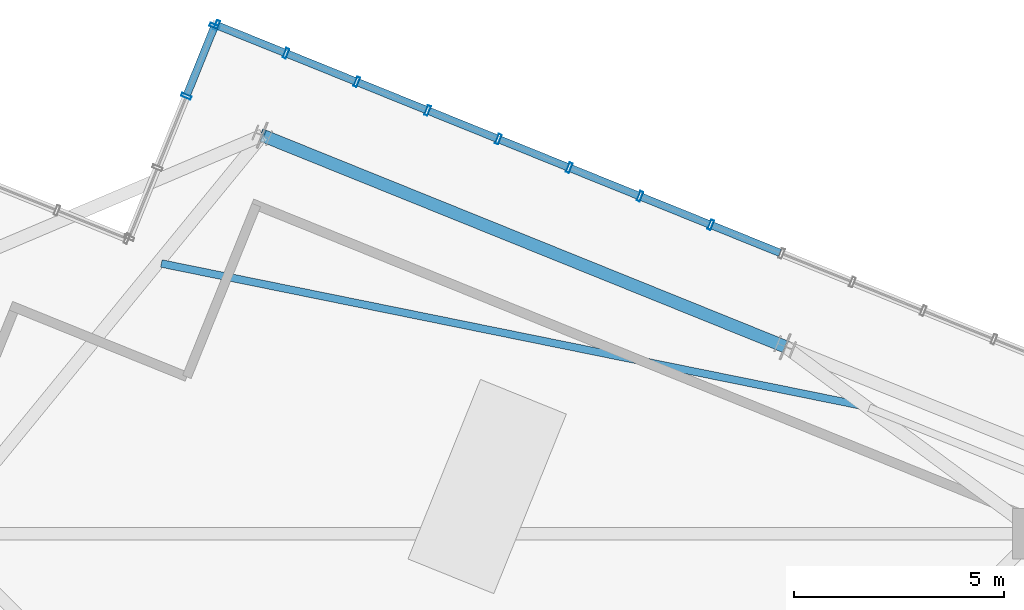
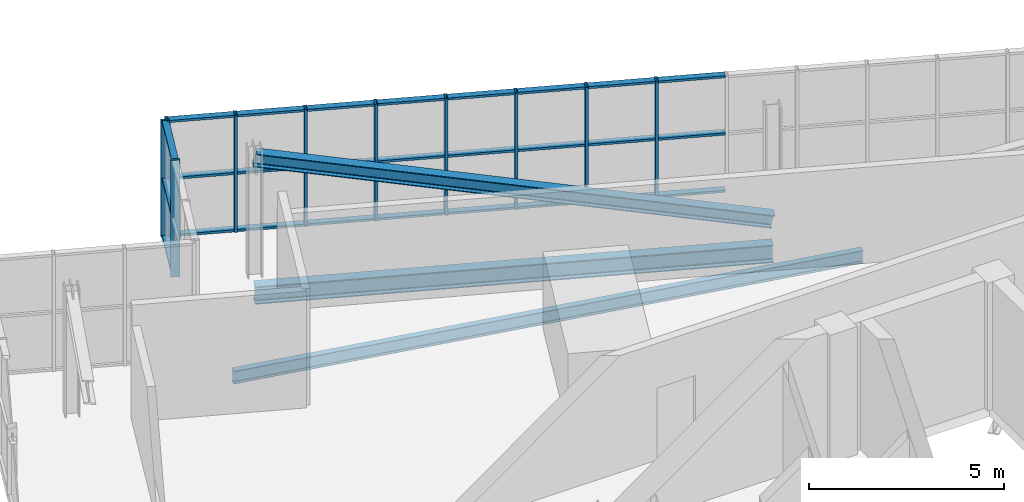
# One storey, part 15 of 26: 38 members, 2 beams, 2 elements without a shape of their own.
"""IFC4 building model written with IfcOpenShell, lengths in metres."""

from ifc_helpers import new_model, si_unit, direction, frame, origin, origin_2d, place, context, subcontext, project, spatial, hollow_rectangle, i_section, extrude, source, transform, mapped, material, layer, layer_set, material_profile, profile_set, type_object, element, aggregate, save


model = new_model("IFC4")

# Units and contexts
model_context = context("Model", 3, precision=1e-05, world=origin(), true_north=direction((0.0, 1.0)))
body_context = subcontext(model_context, "Body", "Model", "MODEL_VIEW")
ifc_project = project(units=[si_unit("LENGTHUNIT", "METRE"), si_unit("AREAUNIT", "SQUARE_METRE"), si_unit("VOLUMEUNIT", "CUBIC_METRE"), si_unit("PLANEANGLEUNIT", "RADIAN"), si_unit("MASSUNIT", "GRAM", prefix="KILO"), si_unit("THERMODYNAMICTEMPERATUREUNIT", "KELVIN")], contexts=[model_context])

# Site, building, storey
site_placement = place(None, origin())
site = spatial("IfcSite", under=ifc_project, at=site_placement, CompositionType="ELEMENT")
building_placement = place(site_placement, origin())
building = spatial("IfcBuilding", under=site, at=building_placement, Name="Kosmvard Interchange Tower", CompositionType="ELEMENT")
storey_placement = place(building_placement, frame((0.0, 0.0, 341.60009765625)))
storey = spatial("IfcBuildingStorey", under=building, at=storey_placement, Name="L84", CompositionType="ELEMENT", Elevation=341.60009765625)

# Member
ifc_material_1 = material(Name="Steel S355", Category="steel")
ifc_material_profile_1 = material_profile(ifc_material_1, i_section(OverallWidth=0.300048828125, OverallDepth=0.39990234375, WebThickness=0.013427734375, FlangeThickness=0.02392578125, FilletRadius=0.027099609375, at=origin_2d()), Name="HEB 400")
ifc_profile_set_1 = profile_set([ifc_material_profile_1], Name="Steel S355")
member_type_1 = type_object("IfcMemberType", Name="Lantern Crown Diagrid Brace HEB 400 S355", PredefinedType="BRACE", material=ifc_profile_set_1)
shared_shape_1 = source(origin(), body_context, "Body", "SweptSolid", [
    extrude(i_section(OverallWidth=0.300048828125, OverallDepth=0.39990234375, WebThickness=0.013427734375, FlangeThickness=0.02392578125, FilletRadius=0.027099609375, at=origin_2d()), origin(), (0.0, 0.0, 1.0), 13.783935546875),
])
member_1_placement = place(storey_placement, frame((7.080078125, 17.523681640625, 0.419921875), z_axis=(-0.901367558742, 0.364177999122, 0.234330768366), x_axis=(-0.374608243744, -0.927183187789, 0.0)))
element("IfcMember", 1, at=member_1_placement, inside=storey, type_object=member_type_1, Name="L84 Crown Lantern Diagrid Brace E2", PredefinedType="BRACE", context=body_context, shape_type="MappedRepresentation", body=[
    mapped(shared_shape_1, transform((0.0, 0.0, 0.0), scale=1.0)),
])

# Beams
ifc_material_profile_2 = material_profile(ifc_material_1, i_section(OverallWidth=0.300048828125, OverallDepth=0.550048828125, WebThickness=0.014892578125, FlangeThickness=0.029052734375, FilletRadius=0.027099609375, at=origin_2d()), Name="HEB 550")
ifc_profile_set_2 = profile_set([ifc_material_profile_2], Name="Steel S355")
beam_type_1 = type_object("IfcBeamType", Name="Crown Ring Cap Girder HEB 550 S355", PredefinedType="BEAM", material=ifc_profile_set_2)
shared_shape_2 = source(origin(), body_context, "Body", "SweptSolid", [
    extrude(i_section(OverallWidth=0.300048828125, OverallDepth=0.550048828125, WebThickness=0.014892578125, FlangeThickness=0.029052734375, FilletRadius=0.027099609375, at=origin_2d()), origin(), (0.0, 0.0, 1.0), 13.400146484375),
])
beam_1_placement = place(storey_placement, frame((7.080078125, 17.523681640625, -0.5751953125), z_axis=(-0.927183187789, 0.374608243744, 0.0), x_axis=(-0.374608243744, -0.927183187789, 0.0)))
element("IfcBeam", 2, at=beam_1_placement, inside=storey, type_object=beam_type_1, Name="BM-L84-PR05", PredefinedType="BEAM", context=body_context, shape_type="MappedRepresentation", body=[
    mapped(shared_shape_2, transform((0.0, 0.0, 0.0), scale=1.0)),
])
ifc_material_profile_3 = material_profile(ifc_material_1, i_section(OverallWidth=0.179931640625, OverallDepth=0.39990234375, WebThickness=0.008544921875, FlangeThickness=0.013427734375, FilletRadius=0.02099609375, at=origin_2d()), Name="IPE 400")
ifc_profile_set_3 = profile_set([ifc_material_profile_3], Name="Steel S355")
beam_type_2 = type_object("IfcBeamType", Name="Upper-Zone Floor Joist IPE 400 S355", PredefinedType="JOIST", material=ifc_profile_set_3)
shared_shape_3 = source(origin(), body_context, "Body", "SweptSolid", [
    extrude(i_section(OverallWidth=0.179931640625, OverallDepth=0.39990234375, WebThickness=0.008544921875, FlangeThickness=0.013427734375, FilletRadius=0.02099609375, at=origin_2d()), origin(), (0.0, 0.0, 1.0), 17.0029296875),
])
beam_2_placement = place(storey_placement, frame((8.921875, 16.117919921875, -0.5), z_axis=(-0.98002341059, 0.198882162837, 0.0), x_axis=(-0.198882162837, -0.98002341059, 0.0)))
element("IfcBeam", 3, at=beam_2_placement, inside=storey, type_object=beam_type_2, Name="BM-L84-FJ04", PredefinedType="JOIST", context=body_context, shape_type="MappedRepresentation", body=[
    mapped(shared_shape_3, transform((0.0, 0.0, 0.0), scale=1.0)),
])

# Curtain wall, members
ifc_material_2 = material(Name="Architectural anodised aluminium", Category="aluminium")
ifc_layer = layer(ifc_material_2, 0.25, Name="Architectural anodised aluminium")
ifc_layer_set = layer_set([ifc_layer], Name="Architectural anodised aluminium")
curtain_wall_type = type_object("IfcCurtainWallType", Name="CW-6 Illuminated Crown Lantern Curtain Wall", PredefinedType="NOTDEFINED", material=ifc_layer_set)
curtain_wall_1_placement = place(storey_placement, origin())
curtain_wall_1 = element("IfcCurtainWall", 4, at=curtain_wall_1_placement, inside=storey, type_object=curtain_wall_type, Name="L84 Crown Lantern Glazing Face 04", PredefinedType="NOTDEFINED")
ifc_material_profile_4 = material_profile(ifc_material_2, hollow_rectangle(XDim=0.179931640625, YDim=0.070068359375, WallThickness=0.0048828125, at=origin_2d()), Name="CWT 180x70x5")
ifc_profile_set_4 = profile_set([ifc_material_profile_4], Name="Architectural anodised aluminium")
member_type_2 = type_object("IfcMemberType", Name="Heavy Lantern CW Transom 180x70 Aluminium", PredefinedType="USERDEFINED", material=ifc_profile_set_4)
shared_shape_4 = source(origin(), body_context, "Body", "SweptSolid", [
    extrude(hollow_rectangle(XDim=0.179931640625, YDim=0.070068359375, WallThickness=0.0048828125, at=origin_2d()), origin(), (0.0, 0.0, 1.0), 1.694091796875),
])
member_2_placement = place(storey_placement, frame((-4.8154296875, 24.508544921875, 0.034912109375), z_axis=(-0.927209116514, 0.374544061831, 0.0), x_axis=(-0.374544061831, -0.927209116514, 0.0)))
member_2 = element("IfcMember", 5, at=member_2_placement, type_object=member_type_2, Name="CW-6 transom 17.1", ObjectType="TRANSOM", PredefinedType="USERDEFINED", context=body_context, shape_type="MappedRepresentation", body=[
    mapped(shared_shape_4, transform((0.0, 0.0, 0.0), scale=1.0)),
])
member_3_placement = place(storey_placement, frame((-4.8154296875, 24.508544921875, 1.824951171875), z_axis=(-0.927209116514, 0.374544061831, 0.0), x_axis=(-0.374544061831, -0.927209116514, 0.0)))
member_3 = element("IfcMember", 6, at=member_3_placement, type_object=member_type_2, Name="CW-6 transom 17.2", ObjectType="TRANSOM", PredefinedType="USERDEFINED", context=body_context, shape_type="MappedRepresentation", body=[
    mapped(shared_shape_4, transform((0.0, 0.0, 0.0), scale=1.0)),
])
member_4_placement = place(storey_placement, frame((-4.8154296875, 24.508544921875, 3.614990234375), z_axis=(-0.927209116514, 0.374544061831, 0.0), x_axis=(-0.374544061831, -0.927209116514, 0.0)))
member_4 = element("IfcMember", 7, at=member_4_placement, type_object=member_type_2, Name="CW-6 transom 17.3", ObjectType="TRANSOM", PredefinedType="USERDEFINED", context=body_context, shape_type="MappedRepresentation", body=[
    mapped(shared_shape_4, transform((0.0, 0.0, 0.0), scale=1.0)),
])
shared_shape_5 = source(origin(), body_context, "Body", "SweptSolid", [
    extrude(hollow_rectangle(XDim=0.179931640625, YDim=0.070068359375, WallThickness=0.0048828125, at=origin_2d()), origin(), (0.0, 0.0, 1.0), 1.734130859375),
])
member_5_placement = place(storey_placement, frame((6.958740234375, 19.75146484375, 0.034912109375), z_axis=(-0.927179782522, 0.374616671924, 0.0), x_axis=(-0.374616671924, -0.927179782522, 0.0)))
member_5 = element("IfcMember", 8, at=member_5_placement, type_object=member_type_2, Name="CW-6 transom 10.1", ObjectType="TRANSOM", PredefinedType="USERDEFINED", context=body_context, shape_type="MappedRepresentation", body=[
    mapped(shared_shape_5, transform((0.0, 0.0, 0.0), scale=1.0)),
])
member_6_placement = place(storey_placement, frame((6.958740234375, 19.75146484375, 1.824951171875), z_axis=(-0.927179782522, 0.374616671924, 0.0), x_axis=(-0.374616671924, -0.927179782522, 0.0)))
member_6 = element("IfcMember", 9, at=member_6_placement, type_object=member_type_2, Name="CW-6 transom 10.2", ObjectType="TRANSOM", PredefinedType="USERDEFINED", context=body_context, shape_type="MappedRepresentation", body=[
    mapped(shared_shape_5, transform((0.0, 0.0, 0.0), scale=1.0)),
])
member_7_placement = place(storey_placement, frame((6.958740234375, 19.75146484375, 3.614990234375), z_axis=(-0.927179782522, 0.374616671924, 0.0), x_axis=(-0.374616671924, -0.927179782522, 0.0)))
member_7 = element("IfcMember", 10, at=member_7_placement, type_object=member_type_2, Name="CW-6 transom 10.3", ObjectType="TRANSOM", PredefinedType="USERDEFINED", context=body_context, shape_type="MappedRepresentation", body=[
    mapped(shared_shape_5, transform((0.0, 0.0, 0.0), scale=1.0)),
])
member_8_placement = place(storey_placement, frame((5.276611328125, 20.43115234375, 0.034912109375), z_axis=(-0.927228675447, 0.374495638732, 0.0), x_axis=(-0.374495638732, -0.927228675447, 0.0)))
member_8 = element("IfcMember", 11, at=member_8_placement, type_object=member_type_2, Name="CW-6 transom 11.1", ObjectType="TRANSOM", PredefinedType="USERDEFINED", context=body_context, shape_type="MappedRepresentation", body=[
    mapped(shared_shape_5, transform((0.0, 0.0, 0.0), scale=1.0)),
])
member_9_placement = place(storey_placement, frame((5.276611328125, 20.43115234375, 1.824951171875), z_axis=(-0.927228675447, 0.374495638732, 0.0), x_axis=(-0.374495638732, -0.927228675447, 0.0)))
member_9 = element("IfcMember", 12, at=member_9_placement, type_object=member_type_2, Name="CW-6 transom 11.2", ObjectType="TRANSOM", PredefinedType="USERDEFINED", context=body_context, shape_type="MappedRepresentation", body=[
    mapped(shared_shape_5, transform((0.0, 0.0, 0.0), scale=1.0)),
])
member_10_placement = place(storey_placement, frame((5.276611328125, 20.43115234375, 3.614990234375), z_axis=(-0.927228675447, 0.374495638732, 0.0), x_axis=(-0.374495638732, -0.927228675447, 0.0)))
member_10 = element("IfcMember", 13, at=member_10_placement, type_object=member_type_2, Name="CW-6 transom 11.3", ObjectType="TRANSOM", PredefinedType="USERDEFINED", context=body_context, shape_type="MappedRepresentation", body=[
    mapped(shared_shape_5, transform((0.0, 0.0, 0.0), scale=1.0)),
])
member_11_placement = place(storey_placement, frame((3.5947265625, 21.110595703125, 0.034912109375), z_axis=(-0.927179782522, 0.374616671924, 0.0), x_axis=(-0.374616671924, -0.927179782522, 0.0)))
member_11 = element("IfcMember", 14, at=member_11_placement, type_object=member_type_2, Name="CW-6 transom 12.1", ObjectType="TRANSOM", PredefinedType="USERDEFINED", context=body_context, shape_type="MappedRepresentation", body=[
    mapped(shared_shape_5, transform((0.0, 0.0, 0.0), scale=1.0)),
])
member_12_placement = place(storey_placement, frame((3.5947265625, 21.110595703125, 1.824951171875), z_axis=(-0.927179782522, 0.374616671924, 0.0), x_axis=(-0.374616671924, -0.927179782522, 0.0)))
member_12 = element("IfcMember", 15, at=member_12_placement, type_object=member_type_2, Name="CW-6 transom 12.2", ObjectType="TRANSOM", PredefinedType="USERDEFINED", context=body_context, shape_type="MappedRepresentation", body=[
    mapped(shared_shape_5, transform((0.0, 0.0, 0.0), scale=1.0)),
])
member_13_placement = place(storey_placement, frame((3.5947265625, 21.110595703125, 3.614990234375), z_axis=(-0.927179782522, 0.374616671924, 0.0), x_axis=(-0.374616671924, -0.927179782522, 0.0)))
member_13 = element("IfcMember", 16, at=member_13_placement, type_object=member_type_2, Name="CW-6 transom 12.3", ObjectType="TRANSOM", PredefinedType="USERDEFINED", context=body_context, shape_type="MappedRepresentation", body=[
    mapped(shared_shape_5, transform((0.0, 0.0, 0.0), scale=1.0)),
])
member_14_placement = place(storey_placement, frame((1.91259765625, 21.790283203125, 0.034912109375), z_axis=(-0.927228675447, 0.374495638732, 0.0), x_axis=(-0.374495638732, -0.927228675447, 0.0)))
member_14 = element("IfcMember", 17, at=member_14_placement, type_object=member_type_2, Name="CW-6 transom 13.1", ObjectType="TRANSOM", PredefinedType="USERDEFINED", context=body_context, shape_type="MappedRepresentation", body=[
    mapped(shared_shape_5, transform((0.0, 0.0, 0.0), scale=1.0)),
])
member_15_placement = place(storey_placement, frame((1.91259765625, 21.790283203125, 1.824951171875), z_axis=(-0.927228675447, 0.374495638732, 0.0), x_axis=(-0.374495638732, -0.927228675447, 0.0)))
member_15 = element("IfcMember", 18, at=member_15_placement, type_object=member_type_2, Name="CW-6 transom 13.2", ObjectType="TRANSOM", PredefinedType="USERDEFINED", context=body_context, shape_type="MappedRepresentation", body=[
    mapped(shared_shape_5, transform((0.0, 0.0, 0.0), scale=1.0)),
])
member_16_placement = place(storey_placement, frame((1.91259765625, 21.790283203125, 3.614990234375), z_axis=(-0.927228675447, 0.374495638732, 0.0), x_axis=(-0.374495638732, -0.927228675447, 0.0)))
member_16 = element("IfcMember", 19, at=member_16_placement, type_object=member_type_2, Name="CW-6 transom 13.3", ObjectType="TRANSOM", PredefinedType="USERDEFINED", context=body_context, shape_type="MappedRepresentation", body=[
    mapped(shared_shape_5, transform((0.0, 0.0, 0.0), scale=1.0)),
])
member_17_placement = place(storey_placement, frame((-1.451416015625, 23.1494140625, 0.034912109375), z_axis=(-0.927179782522, 0.374616671924, 0.0), x_axis=(-0.374616671924, -0.927179782522, 0.0)))
member_17 = element("IfcMember", 20, at=member_17_placement, type_object=member_type_2, Name="CW-6 transom 15.1", ObjectType="TRANSOM", PredefinedType="USERDEFINED", context=body_context, shape_type="MappedRepresentation", body=[
    mapped(shared_shape_5, transform((0.0, 0.0, 0.0), scale=1.0)),
])
member_18_placement = place(storey_placement, frame((-1.451416015625, 23.1494140625, 1.824951171875), z_axis=(-0.927179782522, 0.374616671924, 0.0), x_axis=(-0.374616671924, -0.927179782522, 0.0)))
member_18 = element("IfcMember", 21, at=member_18_placement, type_object=member_type_2, Name="CW-6 transom 15.2", ObjectType="TRANSOM", PredefinedType="USERDEFINED", context=body_context, shape_type="MappedRepresentation", body=[
    mapped(shared_shape_5, transform((0.0, 0.0, 0.0), scale=1.0)),
])
member_19_placement = place(storey_placement, frame((-1.451416015625, 23.1494140625, 3.614990234375), z_axis=(-0.927179782522, 0.374616671924, 0.0), x_axis=(-0.374616671924, -0.927179782522, 0.0)))
member_19 = element("IfcMember", 22, at=member_19_placement, type_object=member_type_2, Name="CW-6 transom 15.3", ObjectType="TRANSOM", PredefinedType="USERDEFINED", context=body_context, shape_type="MappedRepresentation", body=[
    mapped(shared_shape_5, transform((0.0, 0.0, 0.0), scale=1.0)),
])
shared_shape_6 = source(origin(), body_context, "Body", "SweptSolid", [
    extrude(hollow_rectangle(XDim=0.179931640625, YDim=0.070068359375, WallThickness=0.0048828125, at=origin_2d()), origin(), (0.0, 0.0, 1.0), 1.73388671875),
])
member_20_placement = place(storey_placement, frame((0.23046875, 22.4697265625, 0.034912109375), z_axis=(-0.927160021861, 0.374665576032, 0.0), x_axis=(-0.374665576032, -0.927160021861, 0.0)))
member_20 = element("IfcMember", 23, at=member_20_placement, type_object=member_type_2, Name="CW-6 transom 14.1", ObjectType="TRANSOM", PredefinedType="USERDEFINED", context=body_context, shape_type="MappedRepresentation", body=[
    mapped(shared_shape_6, transform((0.0, 0.0, 0.0), scale=1.0)),
])
member_21_placement = place(storey_placement, frame((0.23046875, 22.4697265625, 1.824951171875), z_axis=(-0.927160021861, 0.374665576032, 0.0), x_axis=(-0.374665576032, -0.927160021861, 0.0)))
member_21 = element("IfcMember", 24, at=member_21_placement, type_object=member_type_2, Name="CW-6 transom 14.2", ObjectType="TRANSOM", PredefinedType="USERDEFINED", context=body_context, shape_type="MappedRepresentation", body=[
    mapped(shared_shape_6, transform((0.0, 0.0, 0.0), scale=1.0)),
])
member_22_placement = place(storey_placement, frame((0.23046875, 22.4697265625, 3.614990234375), z_axis=(-0.927160021861, 0.374665576032, 0.0), x_axis=(-0.374665576032, -0.927160021861, 0.0)))
member_22 = element("IfcMember", 25, at=member_22_placement, type_object=member_type_2, Name="CW-6 transom 14.3", ObjectType="TRANSOM", PredefinedType="USERDEFINED", context=body_context, shape_type="MappedRepresentation", body=[
    mapped(shared_shape_6, transform((0.0, 0.0, 0.0), scale=1.0)),
])
member_23_placement = place(storey_placement, frame((-3.133544921875, 23.828857421875, 0.034912109375), z_axis=(-0.927160021861, 0.374665576032, 0.0), x_axis=(-0.374665576032, -0.927160021861, 0.0)))
member_23 = element("IfcMember", 26, at=member_23_placement, type_object=member_type_2, Name="CW-6 transom 16.1", ObjectType="TRANSOM", PredefinedType="USERDEFINED", context=body_context, shape_type="MappedRepresentation", body=[
    mapped(shared_shape_6, transform((0.0, 0.0, 0.0), scale=1.0)),
])
member_24_placement = place(storey_placement, frame((-3.133544921875, 23.828857421875, 1.824951171875), z_axis=(-0.927160021861, 0.374665576032, 0.0), x_axis=(-0.374665576032, -0.927160021861, 0.0)))
member_24 = element("IfcMember", 27, at=member_24_placement, type_object=member_type_2, Name="CW-6 transom 16.2", ObjectType="TRANSOM", PredefinedType="USERDEFINED", context=body_context, shape_type="MappedRepresentation", body=[
    mapped(shared_shape_6, transform((0.0, 0.0, 0.0), scale=1.0)),
])
member_25_placement = place(storey_placement, frame((-3.133544921875, 23.828857421875, 3.614990234375), z_axis=(-0.927160021861, 0.374665576032, 0.0), x_axis=(-0.374665576032, -0.927160021861, 0.0)))
member_25 = element("IfcMember", 28, at=member_25_placement, type_object=member_type_2, Name="CW-6 transom 16.3", ObjectType="TRANSOM", PredefinedType="USERDEFINED", context=body_context, shape_type="MappedRepresentation", body=[
    mapped(shared_shape_6, transform((0.0, 0.0, 0.0), scale=1.0)),
])

curtain_wall_2_placement = place(storey_placement, origin())
curtain_wall_2 = element("IfcCurtainWall", 29, at=curtain_wall_2_placement, inside=storey, type_object=curtain_wall_type, Name="L84 Crown Lantern Glazing Face 05", PredefinedType="NOTDEFINED")
shared_shape_7 = source(origin(), body_context, "Body", "SweptSolid", [
    extrude(hollow_rectangle(XDim=0.179931640625, YDim=0.070068359375, WallThickness=0.0048828125, at=origin_2d()), origin(), (0.0, 0.0, 1.0), 1.71337890625),
])
member_26_placement = place(storey_placement, frame((-6.490478515625, 25.098876953125, 0.034912109375), z_axis=(-0.374484254265, -0.927233273404, 0.0), x_axis=(0.927233273404, -0.374484254265, 0.0)))
member_26 = element("IfcMember", 30, at=member_26_placement, type_object=member_type_2, Name="CW-6 transom 1.1", ObjectType="TRANSOM", PredefinedType="USERDEFINED", context=body_context, shape_type="MappedRepresentation", body=[
    mapped(shared_shape_7, transform((0.0, 0.0, 0.0), scale=1.0)),
])
member_27_placement = place(storey_placement, frame((-6.490478515625, 25.098876953125, 1.824951171875), z_axis=(-0.374484254265, -0.927233273404, 0.0), x_axis=(0.927233273404, -0.374484254265, 0.0)))
member_27 = element("IfcMember", 31, at=member_27_placement, type_object=member_type_2, Name="CW-6 transom 1.2", ObjectType="TRANSOM", PredefinedType="USERDEFINED", context=body_context, shape_type="MappedRepresentation", body=[
    mapped(shared_shape_7, transform((0.0, 0.0, 0.0), scale=1.0)),
])
member_28_placement = place(storey_placement, frame((-6.490478515625, 25.098876953125, 3.614990234375), z_axis=(-0.374484254265, -0.927233273404, 0.0), x_axis=(0.927233273404, -0.374484254265, 0.0)))
member_28 = element("IfcMember", 32, at=member_28_placement, type_object=member_type_2, Name="CW-6 transom 1.3", ObjectType="TRANSOM", PredefinedType="USERDEFINED", context=body_context, shape_type="MappedRepresentation", body=[
    mapped(shared_shape_7, transform((0.0, 0.0, 0.0), scale=1.0)),
])

# Member
ifc_material_profile_5 = material_profile(ifc_material_2, hollow_rectangle(XDim=0.239990234375, YDim=0.080078125, WallThickness=0.006103515625, at=origin_2d()), Name="CWM 240x80x6")
ifc_profile_set_5 = profile_set([ifc_material_profile_5], Name="Architectural anodised aluminium")
member_type_3 = type_object("IfcMemberType", Name="Lantern & Observation CW Mullion 240x80 Aluminium", PredefinedType="MULLION", material=ifc_profile_set_5)
shared_shape_8 = source(origin(), body_context, "Body", "SweptSolid", [
    extrude(hollow_rectangle(XDim=0.239990234375, YDim=0.080078125, WallThickness=0.006103515625, at=origin_2d()), origin(), (0.0, 0.0, 1.0), 3.64990234375),
])
member_29_placement = place(storey_placement, frame((5.313720703125, 20.416015625, 0.0), z_axis=(0.0, 0.0, 1.0), x_axis=(-0.374606584758, -0.927183858065, 0.0)))
member_29 = element("IfcMember", 33, at=member_29_placement, type_object=member_type_3, Name="CW-6 mullion 11", PredefinedType="MULLION", context=body_context, shape_type="MappedRepresentation", body=[
    mapped(shared_shape_8, transform((0.0, 0.0, 0.0), scale=1.0)),
])

member_30_placement = place(storey_placement, frame((3.6318359375, 21.095703125, 0.0), z_axis=(0.0, 0.0, 1.0), x_axis=(-0.374606584758, -0.927183858065, 0.0)))
member_30 = element("IfcMember", 34, at=member_30_placement, type_object=member_type_3, Name="CW-6 mullion 12", PredefinedType="MULLION", context=body_context, shape_type="MappedRepresentation", body=[
    mapped(shared_shape_8, transform((0.0, 0.0, 0.0), scale=1.0)),
])

member_31_placement = place(storey_placement, frame((1.94970703125, 21.775146484375, 0.0), z_axis=(0.0, 0.0, 1.0), x_axis=(-0.374606584758, -0.927183858065, 0.0)))
member_31 = element("IfcMember", 35, at=member_31_placement, type_object=member_type_3, Name="CW-6 mullion 13", PredefinedType="MULLION", context=body_context, shape_type="MappedRepresentation", body=[
    mapped(shared_shape_8, transform((0.0, 0.0, 0.0), scale=1.0)),
])

member_32_placement = place(storey_placement, frame((0.267578125, 22.454833984375, 0.0), z_axis=(0.0, 0.0, 1.0), x_axis=(-0.374606584758, -0.927183858065, 0.0)))
member_32 = element("IfcMember", 36, at=member_32_placement, type_object=member_type_3, Name="CW-6 mullion 14", PredefinedType="MULLION", context=body_context, shape_type="MappedRepresentation", body=[
    mapped(shared_shape_8, transform((0.0, 0.0, 0.0), scale=1.0)),
])

member_33_placement = place(storey_placement, frame((-1.414306640625, 23.13427734375, 0.0), z_axis=(0.0, 0.0, 1.0), x_axis=(-0.374606584758, -0.927183858065, 0.0)))
member_33 = element("IfcMember", 37, at=member_33_placement, type_object=member_type_3, Name="CW-6 mullion 15", PredefinedType="MULLION", context=body_context, shape_type="MappedRepresentation", body=[
    mapped(shared_shape_8, transform((0.0, 0.0, 0.0), scale=1.0)),
])

member_34_placement = place(storey_placement, frame((-3.096435546875, 23.81396484375, 0.0), z_axis=(0.0, 0.0, 1.0), x_axis=(-0.374606584758, -0.927183858065, 0.0)))
member_34 = element("IfcMember", 38, at=member_34_placement, type_object=member_type_3, Name="CW-6 mullion 16", PredefinedType="MULLION", context=body_context, shape_type="MappedRepresentation", body=[
    mapped(shared_shape_8, transform((0.0, 0.0, 0.0), scale=1.0)),
])

member_35_placement = place(storey_placement, frame((-4.7783203125, 24.49365234375, 0.0), z_axis=(0.0, 0.0, 1.0), x_axis=(-0.374606584758, -0.927183858065, 0.0)))
member_35 = element("IfcMember", 39, at=member_35_placement, type_object=member_type_3, Name="CW-6 mullion 17", PredefinedType="MULLION", context=body_context, shape_type="MappedRepresentation", body=[
    mapped(shared_shape_8, transform((0.0, 0.0, 0.0), scale=1.0)),
])

member_36_placement = place(storey_placement, frame((-6.42333984375, 25.158203125, 0.0), z_axis=(0.0, 0.0, 1.0), x_axis=(-0.374606584758, -0.927183858065, 0.0)))
member_36 = element("IfcMember", 40, at=member_36_placement, type_object=member_type_3, Name="CW-6 mullion 18", PredefinedType="MULLION", context=body_context, shape_type="MappedRepresentation", body=[
    mapped(shared_shape_8, transform((0.0, 0.0, 0.0), scale=1.0)),
])

aggregate(curtain_wall_1, [member_29, member_30, member_31, member_32, member_33, member_34, member_35, member_36, member_5, member_6, member_7, member_8, member_9, member_10, member_11, member_12, member_13, member_14, member_15, member_16, member_20, member_21, member_22, member_17, member_18, member_19, member_23, member_24, member_25, member_2, member_3, member_4])

member_37_placement = place(storey_placement, frame((-6.475341796875, 25.135986328125, 0.0), z_axis=(0.0, 0.0, 1.0), x_axis=(0.92718386612, -0.374606564822, 0.0)))
member_37 = element("IfcMember", 41, at=member_37_placement, type_object=member_type_3, Name="CW-6 mullion 1", PredefinedType="MULLION", context=body_context, shape_type="MappedRepresentation", body=[
    mapped(shared_shape_8, transform((0.0, 0.0, 0.0), scale=1.0)),
])

member_38_placement = place(storey_placement, frame((-7.147216796875, 23.473388671875, 0.0), z_axis=(0.0, 0.0, 1.0), x_axis=(0.92718386612, -0.374606564822, 0.0)))
member_38 = element("IfcMember", 42, at=member_38_placement, type_object=member_type_3, Name="CW-6 mullion 2", PredefinedType="MULLION", context=body_context, shape_type="MappedRepresentation", body=[
    mapped(shared_shape_8, transform((0.0, 0.0, 0.0), scale=1.0)),
])

aggregate(curtain_wall_2, [member_37, member_38, member_26, member_27, member_28])

save(model, "model.ifc")
